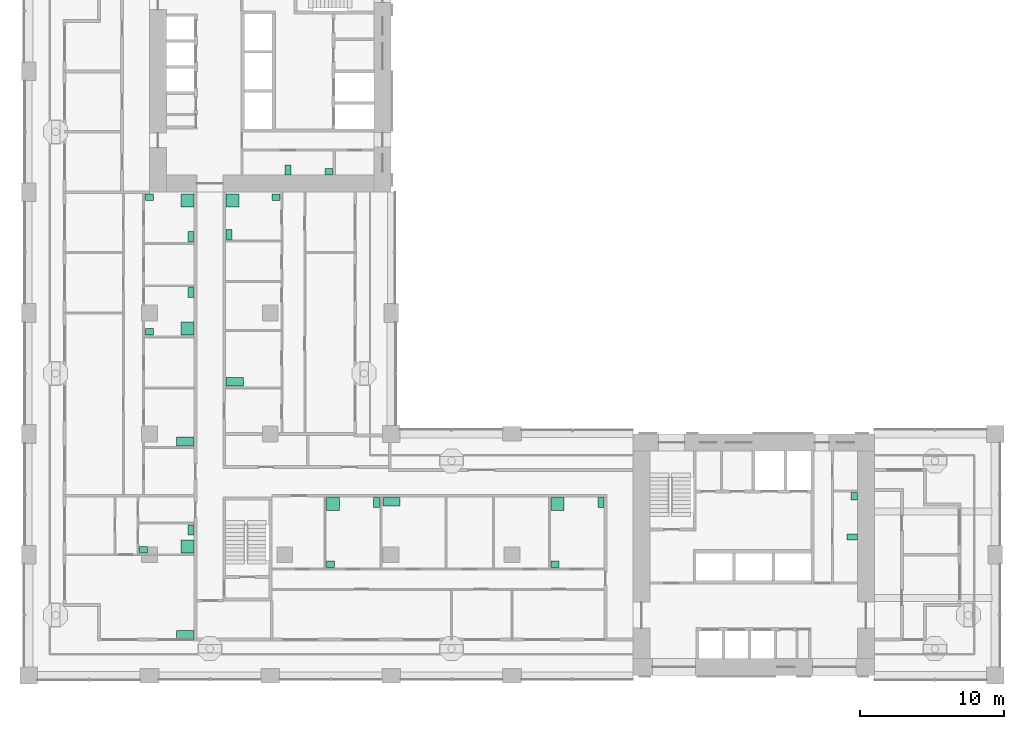
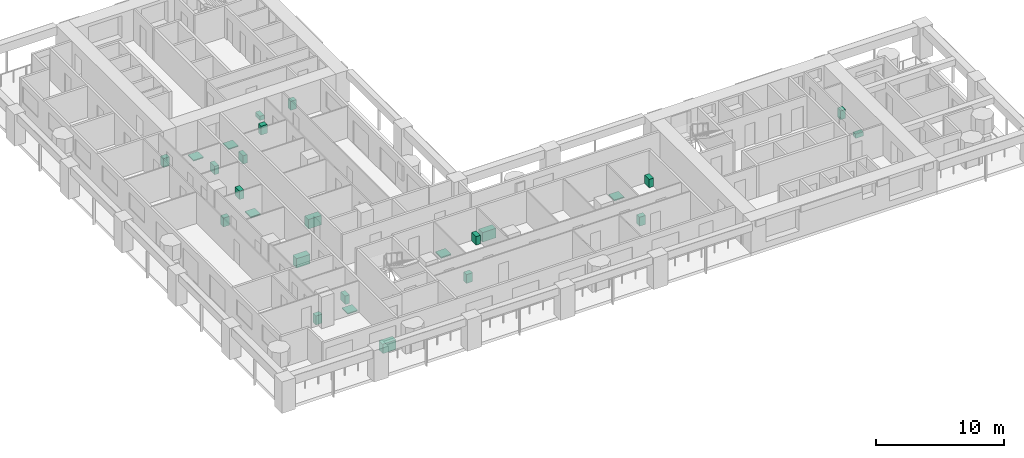
# One storey, part 16 of 18: 26 sanitary terminals.
"""IFC4 building model written with IfcOpenShell, lengths in metres."""

from ifc_helpers import new_model, si_unit, direction, frame, origin, origin_2d, place, context, subcontext, project, spatial, rectangle, extrude, material, element, save


model = new_model("IFC4")

# Units and contexts
model_context = context("Model", 3, precision=1e-05, world=origin(), true_north=direction((0.0, 1.0)))
body_context = subcontext(model_context, "Body", "Model", "MODEL_VIEW")
ifc_project = project(units=[si_unit("LENGTHUNIT", "METRE"), si_unit("AREAUNIT", "SQUARE_METRE"), si_unit("VOLUMEUNIT", "CUBIC_METRE"), si_unit("PLANEANGLEUNIT", "RADIAN"), si_unit("MASSUNIT", "GRAM", prefix="KILO")], contexts=[model_context])

# Site, building, storey
site_placement = place(None, origin())
site = spatial("IfcSite", under=ifc_project, at=site_placement, CompositionType="ELEMENT")
building_placement = place(site_placement, origin())
building = spatial("IfcBuilding", under=site, at=building_placement, Name="Vermilion Gate Residences", CompositionType="ELEMENT")
storey_placement = place(building_placement, frame((0.0, 0.0, 137.199951171875)))
storey = spatial("IfcBuildingStorey", under=building, at=storey_placement, Name="L35", CompositionType="ELEMENT", Elevation=137.199951171875)

# Sanitary terminals
ifc_material_1 = material(Name="Vitreous china")
sanitary_terminal_1_placement = place(storey_placement, frame((57.25, 18.032470703125, 0.0), z_axis=(0.0, 0.0, 1.0), x_axis=(1.0, 0.0, 0.0)))
element("IfcSanitaryTerminal", 1, at=sanitary_terminal_1_placement, inside=storey, material=ifc_material_1, Name="Toilet pan A35", PredefinedType="TOILETPAN", context=body_context, shape_type="SweptSolid", body=[
    extrude(rectangle(XDim=0.699951171875, YDim=0.39990234375, at=origin_2d()), origin(), (0.0, 0.0, 1.0), 0.39990234375),
])
sanitary_terminal_2_placement = place(storey_placement, frame((57.375, 20.864990234375, 0.0), z_axis=(0.0, 0.0, 1.0), x_axis=(1.0, 0.0, 0.0)))
element("IfcSanitaryTerminal", 2, at=sanitary_terminal_2_placement, inside=storey, material=ifc_material_1, Name="Washbasin A35", PredefinedType="WASHHANDBASIN", context=body_context, shape_type="SweptSolid", body=[
    extrude(rectangle(XDim=0.449951171875, YDim=0.5, at=origin_2d()), origin(), (0.0, 0.0, 1.0), 0.85009765625),
])
sanitary_terminal_3_placement = place(storey_placement, frame((18.032470703125, 43.550048828125, 0.0), z_axis=(0.0, 0.0, 1.0), x_axis=(1.0, 0.0, 0.0)))
element("IfcSanitaryTerminal", 3, at=sanitary_terminal_3_placement, inside=storey, material=ifc_material_1, Name="Toilet pan B35", PredefinedType="TOILETPAN", context=body_context, shape_type="SweptSolid", body=[
    extrude(rectangle(XDim=0.39990234375, YDim=0.699951171875, at=origin_2d()), origin(), (0.0, 0.0, 1.0), 0.39990234375),
])
sanitary_terminal_4_placement = place(storey_placement, frame((20.864990234375, 43.425048828125, 0.0), z_axis=(0.0, 0.0, 1.0), x_axis=(1.0, 0.0, 0.0)))
element("IfcSanitaryTerminal", 4, at=sanitary_terminal_4_placement, inside=storey, material=ifc_material_1, Name="Washbasin B35", PredefinedType="WASHHANDBASIN", context=body_context, shape_type="SweptSolid", body=[
    extrude(rectangle(XDim=0.5, YDim=0.449951171875, at=origin_2d()), origin(), (0.0, 0.0, 1.0), 0.85009765625),
])
ifc_material_2 = material(Name="Stainless steel", Category="steel")
sanitary_terminal_5_placement = place(storey_placement, frame((10.8798828125, 11.219970703125, 0.0), z_axis=(0.0, 0.0, 1.0), x_axis=(1.0, 0.0, 0.0)))
element("IfcSanitaryTerminal", 5, at=sanitary_terminal_5_placement, inside=storey, material=ifc_material_2, Name="Kitchen sink", PredefinedType="SINK", context=body_context, shape_type="SweptSolid", body=[
    extrude(rectangle(XDim=1.199951171875, YDim=0.60009765625, at=origin_2d()), origin(), (0.0, 0.0, 1.0), 0.89990234375),
])
sanitary_terminal_6_placement = place(storey_placement, frame((11.030029296875, 17.3701171875, 0.0), z_axis=(0.0, 0.0, 1.0), x_axis=(1.0, 0.0, 0.0)))
element("IfcSanitaryTerminal", 6, at=sanitary_terminal_6_placement, inside=storey, material=ifc_material_1, Name="Shower tray", PredefinedType="SHOWER", context=body_context, shape_type="SweptSolid", body=[
    extrude(rectangle(XDim=0.89990234375, YDim=0.89990234375, at=origin_2d()), origin(), (0.0, 0.0, 1.0), 0.10009765625),
])
sanitary_terminal_7_placement = place(storey_placement, frame((11.280029296875, 18.530029296875, 0.0), z_axis=(0.0, 0.0, 1.0), x_axis=(1.0, 0.0, 0.0)))
element("IfcSanitaryTerminal", 7, at=sanitary_terminal_7_placement, inside=storey, material=ifc_material_1, Name="Toilet", PredefinedType="TOILETPAN", context=body_context, shape_type="SweptSolid", body=[
    extrude(rectangle(XDim=0.39990234375, YDim=0.699951171875, at=origin_2d()), origin(), (0.0, 0.0, 1.0), 0.800048828125),
])
sanitary_terminal_8_placement = place(storey_placement, frame((7.9951171875, 17.14501953125, 0.0), z_axis=(0.0, 0.0, 1.0), x_axis=(1.0, 0.0, 0.0)))
element("IfcSanitaryTerminal", 8, at=sanitary_terminal_8_placement, inside=storey, material=ifc_material_1, Name="Wash basin", PredefinedType="WASHHANDBASIN", context=body_context, shape_type="SweptSolid", body=[
    extrude(rectangle(XDim=0.550048828125, YDim=0.449951171875, at=origin_2d()), origin(), (0.0, 0.0, 1.0), 0.85009765625),
])
sanitary_terminal_9_placement = place(storey_placement, frame((21.169921875, 20.330078125, 0.0), z_axis=(0.0, 0.0, 1.0), x_axis=(1.0, 0.0, 0.0)))
element("IfcSanitaryTerminal", 9, at=sanitary_terminal_9_placement, inside=storey, material=ifc_material_1, Name="Shower tray", PredefinedType="SHOWER", context=body_context, shape_type="SweptSolid", body=[
    extrude(rectangle(XDim=0.89990234375, YDim=0.89990234375, at=origin_2d()), origin(), (0.0, 0.0, 1.0), 0.10009765625),
])
sanitary_terminal_10_placement = place(storey_placement, frame((24.179931640625, 20.429931640625, 0.0), z_axis=(0.0, 0.0, 1.0), x_axis=(1.0, 0.0, 0.0)))
element("IfcSanitaryTerminal", 10, at=sanitary_terminal_10_placement, inside=storey, material=ifc_material_1, Name="Toilet", PredefinedType="TOILETPAN", context=body_context, shape_type="SweptSolid", body=[
    extrude(rectangle(XDim=0.39990234375, YDim=0.699951171875, at=origin_2d()), origin(), (0.0, 0.0, 1.0), 0.800048828125),
])
sanitary_terminal_11_placement = place(storey_placement, frame((20.9951171875, 16.14501953125, 0.0), z_axis=(0.0, 0.0, 1.0), x_axis=(1.0, 0.0, 0.0)))
element("IfcSanitaryTerminal", 11, at=sanitary_terminal_11_placement, inside=storey, material=ifc_material_1, Name="Wash basin", PredefinedType="WASHHANDBASIN", context=body_context, shape_type="SweptSolid", body=[
    extrude(rectangle(XDim=0.550048828125, YDim=0.449951171875, at=origin_2d()), origin(), (0.0, 0.0, 1.0), 0.85009765625),
])
sanitary_terminal_12_placement = place(storey_placement, frame((25.219970703125, 20.47998046875, 0.0), z_axis=(0.0, 0.0, 1.0), x_axis=(1.0, 0.0, 0.0)))
element("IfcSanitaryTerminal", 12, at=sanitary_terminal_12_placement, inside=storey, material=ifc_material_2, Name="Kitchen sink", PredefinedType="SINK", context=body_context, shape_type="SweptSolid", body=[
    extrude(rectangle(XDim=1.199951171875, YDim=0.60009765625, at=origin_2d()), origin(), (0.0, 0.0, 1.0), 0.89990234375),
])
sanitary_terminal_13_placement = place(storey_placement, frame((36.77001953125, 20.330078125, 0.0), z_axis=(0.0, 0.0, 1.0), x_axis=(1.0, 0.0, 0.0)))
element("IfcSanitaryTerminal", 13, at=sanitary_terminal_13_placement, inside=storey, material=ifc_material_1, Name="Shower tray", PredefinedType="SHOWER", context=body_context, shape_type="SweptSolid", body=[
    extrude(rectangle(XDim=0.89990234375, YDim=0.89990234375, at=origin_2d()), origin(), (0.0, 0.0, 1.0), 0.10009765625),
])
sanitary_terminal_14_placement = place(storey_placement, frame((39.780029296875, 20.429931640625, 0.0), z_axis=(0.0, 0.0, 1.0), x_axis=(1.0, 0.0, 0.0)))
element("IfcSanitaryTerminal", 14, at=sanitary_terminal_14_placement, inside=storey, material=ifc_material_1, Name="Toilet", PredefinedType="TOILETPAN", context=body_context, shape_type="SweptSolid", body=[
    extrude(rectangle(XDim=0.39990234375, YDim=0.699951171875, at=origin_2d()), origin(), (0.0, 0.0, 1.0), 0.800048828125),
])
sanitary_terminal_15_placement = place(storey_placement, frame((36.594970703125, 16.14501953125, 0.0), z_axis=(0.0, 0.0, 1.0), x_axis=(1.0, 0.0, 0.0)))
element("IfcSanitaryTerminal", 15, at=sanitary_terminal_15_placement, inside=storey, material=ifc_material_1, Name="Wash basin", PredefinedType="WASHHANDBASIN", context=body_context, shape_type="SweptSolid", body=[
    extrude(rectangle(XDim=0.550048828125, YDim=0.449951171875, at=origin_2d()), origin(), (0.0, 0.0, 1.0), 0.85009765625),
])
sanitary_terminal_16_placement = place(storey_placement, frame((10.8798828125, 24.669921875, 0.0), z_axis=(0.0, 0.0, 1.0), x_axis=(1.0, 0.0, 0.0)))
element("IfcSanitaryTerminal", 16, at=sanitary_terminal_16_placement, inside=storey, material=ifc_material_2, Name="Kitchen sink", PredefinedType="SINK", context=body_context, shape_type="SweptSolid", body=[
    extrude(rectangle(XDim=1.199951171875, YDim=0.60009765625, at=origin_2d()), origin(), (0.0, 0.0, 1.0), 0.89990234375),
])
sanitary_terminal_17_placement = place(storey_placement, frame((11.030029296875, 32.52001953125, 0.0), z_axis=(0.0, 0.0, 1.0), x_axis=(1.0, 0.0, 0.0)))
element("IfcSanitaryTerminal", 17, at=sanitary_terminal_17_placement, inside=storey, material=ifc_material_1, Name="Shower tray", PredefinedType="SHOWER", context=body_context, shape_type="SweptSolid", body=[
    extrude(rectangle(XDim=0.89990234375, YDim=0.89990234375, at=origin_2d()), origin(), (0.0, 0.0, 1.0), 0.10009765625),
])
sanitary_terminal_18_placement = place(storey_placement, frame((11.280029296875, 35.030029296875, 0.0), z_axis=(0.0, 0.0, 1.0), x_axis=(1.0, 0.0, 0.0)))
element("IfcSanitaryTerminal", 18, at=sanitary_terminal_18_placement, inside=storey, material=ifc_material_1, Name="Toilet", PredefinedType="TOILETPAN", context=body_context, shape_type="SweptSolid", body=[
    extrude(rectangle(XDim=0.39990234375, YDim=0.699951171875, at=origin_2d()), origin(), (0.0, 0.0, 1.0), 0.800048828125),
])
sanitary_terminal_19_placement = place(storey_placement, frame((8.39501953125, 32.294921875, 0.0), z_axis=(0.0, 0.0, 1.0), x_axis=(1.0, 0.0, 0.0)))
element("IfcSanitaryTerminal", 19, at=sanitary_terminal_19_placement, inside=storey, material=ifc_material_1, Name="Wash basin", PredefinedType="WASHHANDBASIN", context=body_context, shape_type="SweptSolid", body=[
    extrude(rectangle(XDim=0.550048828125, YDim=0.449951171875, at=origin_2d()), origin(), (0.0, 0.0, 1.0), 0.85009765625),
])
sanitary_terminal_20_placement = place(storey_placement, frame((11.030029296875, 41.429931640625, 0.0), z_axis=(0.0, 0.0, 1.0), x_axis=(1.0, 0.0, 0.0)))
element("IfcSanitaryTerminal", 20, at=sanitary_terminal_20_placement, inside=storey, material=ifc_material_1, Name="Shower tray", PredefinedType="SHOWER", context=body_context, shape_type="SweptSolid", body=[
    extrude(rectangle(XDim=0.89990234375, YDim=0.89990234375, at=origin_2d()), origin(), (0.0, 0.0, 1.0), 0.10009765625),
])
sanitary_terminal_21_placement = place(storey_placement, frame((11.280029296875, 38.919921875, 0.0), z_axis=(0.0, 0.0, 1.0), x_axis=(1.0, 0.0, 0.0)))
element("IfcSanitaryTerminal", 21, at=sanitary_terminal_21_placement, inside=storey, material=ifc_material_1, Name="Toilet", PredefinedType="TOILETPAN", context=body_context, shape_type="SweptSolid", body=[
    extrude(rectangle(XDim=0.39990234375, YDim=0.699951171875, at=origin_2d()), origin(), (0.0, 0.0, 1.0), 0.800048828125),
])
sanitary_terminal_22_placement = place(storey_placement, frame((8.39501953125, 41.655029296875, 0.0), z_axis=(0.0, 0.0, 1.0), x_axis=(1.0, 0.0, 0.0)))
element("IfcSanitaryTerminal", 22, at=sanitary_terminal_22_placement, inside=storey, material=ifc_material_1, Name="Wash basin", PredefinedType="WASHHANDBASIN", context=body_context, shape_type="SweptSolid", body=[
    extrude(rectangle(XDim=0.550048828125, YDim=0.449951171875, at=origin_2d()), origin(), (0.0, 0.0, 1.0), 0.85009765625),
])
sanitary_terminal_23_placement = place(storey_placement, frame((14.320068359375, 28.820068359375, 0.0), z_axis=(0.0, 0.0, 1.0), x_axis=(1.0, 0.0, 0.0)))
element("IfcSanitaryTerminal", 23, at=sanitary_terminal_23_placement, inside=storey, material=ifc_material_2, Name="Kitchen sink", PredefinedType="SINK", context=body_context, shape_type="SweptSolid", body=[
    extrude(rectangle(XDim=1.199951171875, YDim=0.60009765625, at=origin_2d()), origin(), (0.0, 0.0, 1.0), 0.89990234375),
])
sanitary_terminal_24_placement = place(storey_placement, frame((14.169921875, 41.429931640625, 0.0), z_axis=(0.0, 0.0, 1.0), x_axis=(1.0, 0.0, 0.0)))
element("IfcSanitaryTerminal", 24, at=sanitary_terminal_24_placement, inside=storey, material=ifc_material_1, Name="Shower tray", PredefinedType="SHOWER", context=body_context, shape_type="SweptSolid", body=[
    extrude(rectangle(XDim=0.89990234375, YDim=0.89990234375, at=origin_2d()), origin(), (0.0, 0.0, 1.0), 0.10009765625),
])
sanitary_terminal_25_placement = place(storey_placement, frame((13.919921875, 39.070068359375, 0.0), z_axis=(0.0, 0.0, 1.0), x_axis=(1.0, 0.0, 0.0)))
element("IfcSanitaryTerminal", 25, at=sanitary_terminal_25_placement, inside=storey, material=ifc_material_1, Name="Toilet", PredefinedType="TOILETPAN", context=body_context, shape_type="SweptSolid", body=[
    extrude(rectangle(XDim=0.39990234375, YDim=0.699951171875, at=origin_2d()), origin(), (0.0, 0.0, 1.0), 0.800048828125),
])
sanitary_terminal_26_placement = place(storey_placement, frame((17.205078125, 41.655029296875, 0.0), z_axis=(0.0, 0.0, 1.0), x_axis=(1.0, 0.0, 0.0)))
element("IfcSanitaryTerminal", 26, at=sanitary_terminal_26_placement, inside=storey, material=ifc_material_1, Name="Wash basin", PredefinedType="WASHHANDBASIN", context=body_context, shape_type="SweptSolid", body=[
    extrude(rectangle(XDim=0.550048828125, YDim=0.449951171875, at=origin_2d()), origin(), (0.0, 0.0, 1.0), 0.85009765625),
])

save(model, "model.ifc")
